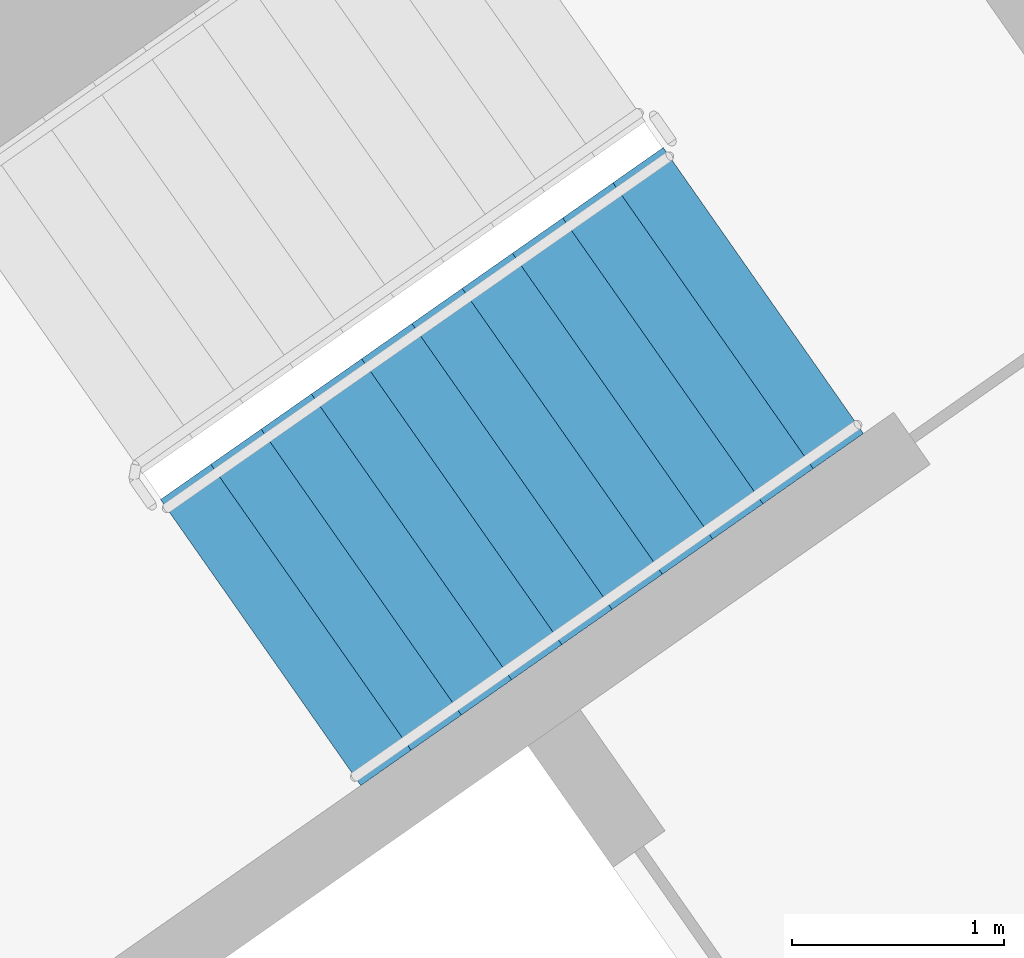
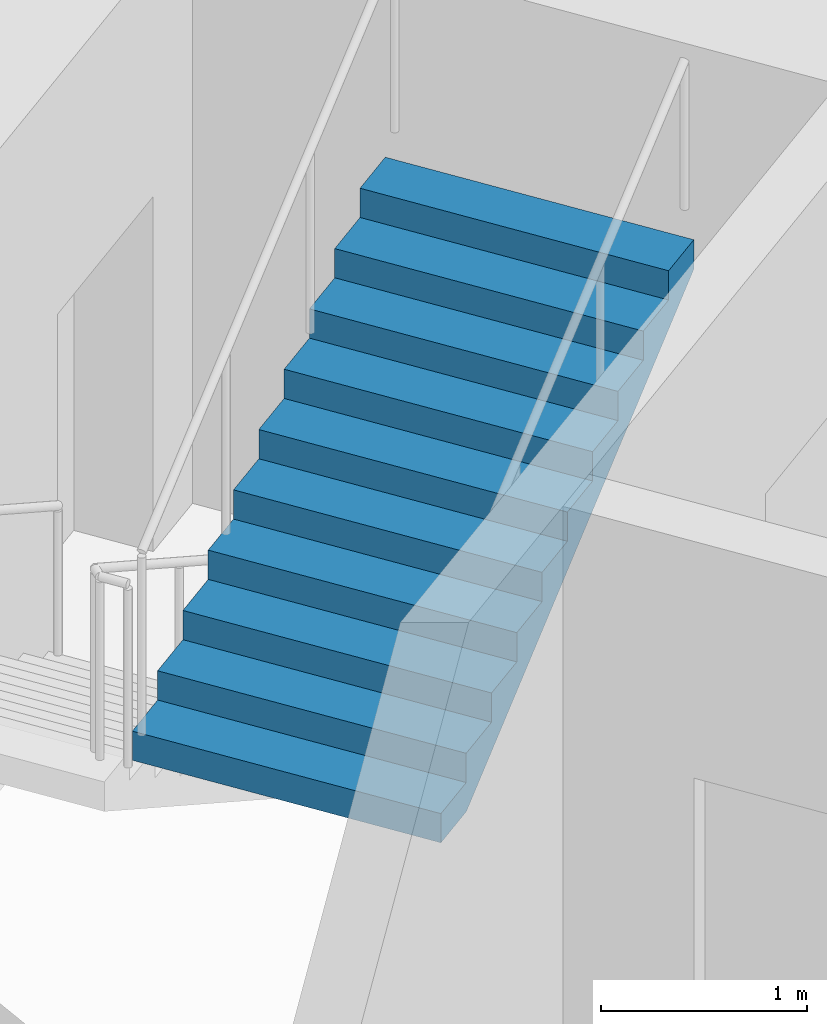
# One storey, part 16 of 29: 1 stair flight, 1 element without a shape of its own.
"""IFC4 building model written with IfcOpenShell, lengths in metres."""

from ifc_helpers import new_model, si_unit, direction, frame, origin, place, context, subcontext, project, spatial, faceted_brep, material, type_object, element, aggregate, save


model = new_model("IFC4")

# Units and contexts
model_context = context("Model", 3, precision=1e-05, world=origin(), true_north=direction((0.0, 1.0)))
body_context = subcontext(model_context, "Body", "Model", "MODEL_VIEW")
ifc_project = project(units=[si_unit("LENGTHUNIT", "METRE"), si_unit("AREAUNIT", "SQUARE_METRE"), si_unit("VOLUMEUNIT", "CUBIC_METRE"), si_unit("PLANEANGLEUNIT", "RADIAN"), si_unit("MASSUNIT", "GRAM", prefix="KILO")], contexts=[model_context])

# Site, building, storey
site_placement = place(None, origin())
site = spatial("IfcSite", under=ifc_project, at=site_placement, CompositionType="ELEMENT")
building_placement = place(site_placement, origin())
building = spatial("IfcBuilding", under=site, at=building_placement, Name="Qamariyya Broadcast Tower", CompositionType="ELEMENT")
storey_placement = place(building_placement, frame((0.0, 0.0, 132.89990234375)))
storey = spatial("IfcBuildingStorey", under=building, at=storey_placement, Name="L30", CompositionType="ELEMENT", Elevation=132.89990234375)

# Stair, stair flight
ifc_material = material(Name="Concrete C50/60", Category="concrete")
stair_type = type_object("IfcStairType", Name="Exit stair 22 risers of 173 mm", PredefinedType="HALF_TURN_STAIR", material=ifc_material)
stair_placement = place(storey_placement, origin())
stair = element("IfcStair", 1, at=stair_placement, inside=storey, type_object=stair_type, Name="L30 Stair E2", PredefinedType="HALF_TURN_STAIR")
stair_flight_type = type_object("IfcStairFlightType", Name="Exit stair flight 11 risers of 173 mm", PredefinedType="STRAIGHT", material=ifc_material)
stair_flight_placement = place(storey_placement, frame((39.215576171875, -50.822998046875, 1.900146484375), z_axis=(0.0, 0.0, 1.0), x_axis=(0.819152044289, 0.573576436351, 0.0)))
stair_flight = element("IfcStairFlight", 2, at=stair_flight_placement, type_object=stair_flight_type, Name="ST-E2 flight 2", NumberOfRisers=11, NumberOfTreads=10, PredefinedType="STRAIGHT", RiserHeight=0.172727273, TreadLength=0.29, context=body_context, shape_type="Brep", body=[
    faceted_brep([(0.0, 0.824951171875, 0.0), (0.0, 0.824951171875, 0.172607421875), (0.2900390625, 0.824951171875, 0.172607421875), (0.2900390625, 0.824951171875, 0.345458984375), (0.580078125, 0.824951171875, 0.345458984375), (0.580078125, 0.824951171875, 0.51806640625), (0.8701171875, 0.824951171875, 0.51806640625), (0.8701171875, 0.824951171875, 0.69091796875), (1.159912109375, 0.824951171875, 0.69091796875), (1.159912109375, 0.824951171875, 0.863525390625), (1.449951171875, 0.824951171875, 0.863525390625), (1.449951171875, 0.824951171875, 1.036376953125), (1.739990234375, 0.824951171875, 1.036376953125), (1.739990234375, 0.824951171875, 1.208984375), (2.030029296875, 0.824951171875, 1.208984375), (2.030029296875, 0.824951171875, 1.3818359375), (2.320068359375, 0.824951171875, 1.3818359375), (2.320068359375, 0.824951171875, 1.554443359375), (2.610107421875, 0.824951171875, 1.554443359375), (2.610107421875, 0.824951171875, 1.727294921875), (2.89990234375, 0.824951171875, 1.727294921875), (2.89990234375, 0.824951171875, 1.552734375), (0.29296875, 0.824951171875, 0.0), (0.29296875, -0.824951171875, 0.0), (2.89990234375, -0.824951171875, 1.552734375), (2.89990234375, -0.824951171875, 1.727294921875), (2.610107421875, -0.824951171875, 1.727294921875), (2.610107421875, -0.824951171875, 1.554443359375), (2.320068359375, -0.824951171875, 1.554443359375), (2.320068359375, -0.824951171875, 1.3818359375), (2.030029296875, -0.824951171875, 1.3818359375), (2.030029296875, -0.824951171875, 1.208984375), (1.739990234375, -0.824951171875, 1.208984375), (1.739990234375, -0.824951171875, 1.036376953125), (1.449951171875, -0.824951171875, 1.036376953125), (1.449951171875, -0.824951171875, 0.863525390625), (1.159912109375, -0.824951171875, 0.863525390625), (1.159912109375, -0.824951171875, 0.69091796875), (0.8701171875, -0.824951171875, 0.69091796875), (0.8701171875, -0.824951171875, 0.51806640625), (0.580078125, -0.824951171875, 0.51806640625), (0.580078125, -0.824951171875, 0.345458984375), (0.2900390625, -0.824951171875, 0.345458984375), (0.2900390625, -0.824951171875, 0.172607421875), (0.0, -0.824951171875, 0.172607421875), (0.0, -0.824951171875, 0.0), (0.0, 0.10009765625, 0.0), (0.0, 0.086669921875, 0.0), (0.0, 0.0732421875, 0.0), (0.0, 0.06005859375, 0.0), (0.0, 0.046630859375, 0.0), (0.0, 0.033447265625, 0.0), (0.0, 0.02001953125, 0.0), (0.0, 0.006591796875, 0.0), (0.0, -0.006591796875, 0.0), (0.0, -0.02001953125, 0.0), (0.0, -0.033447265625, 0.0), (0.0, -0.046630859375, 0.0), (0.0, -0.06005859375, 0.0), (0.0, -0.0732421875, 0.0), (0.0, -0.086669921875, 0.0), (0.0, -0.10009765625, 0.0), (0.0, -0.10009765625, 0.172607421875), (0.0, -0.086669921875, 0.172607421875), (0.0, -0.0732421875, 0.172607421875), (0.0, -0.06005859375, 0.172607421875), (0.0, -0.046630859375, 0.172607421875), (0.0, -0.033447265625, 0.172607421875), (0.0, -0.02001953125, 0.172607421875), (0.0, -0.006591796875, 0.172607421875), (0.0, 0.006591796875, 0.172607421875), (0.0, 0.02001953125, 0.172607421875), (0.0, 0.033447265625, 0.172607421875), (0.0, 0.046630859375, 0.172607421875), (0.0, 0.06005859375, 0.172607421875), (0.0, 0.0732421875, 0.172607421875), (0.0, 0.086669921875, 0.172607421875), (0.0, 0.10009765625, 0.172607421875), (0.2900390625, -0.10009765625, 0.172607421875), (0.2900390625, -0.086669921875, 0.172607421875), (0.2900390625, -0.0732421875, 0.172607421875), (0.2900390625, -0.06005859375, 0.172607421875), (0.2900390625, -0.046630859375, 0.172607421875), (0.2900390625, -0.033447265625, 0.172607421875), (0.2900390625, -0.02001953125, 0.172607421875), (0.2900390625, -0.006591796875, 0.172607421875), (0.2900390625, 0.006591796875, 0.172607421875), (0.2900390625, 0.02001953125, 0.172607421875), (0.2900390625, 0.033447265625, 0.172607421875), (0.2900390625, 0.046630859375, 0.172607421875), (0.2900390625, 0.06005859375, 0.172607421875), (0.2900390625, 0.0732421875, 0.172607421875), (0.2900390625, 0.086669921875, 0.172607421875), (0.2900390625, 0.10009765625, 0.172607421875), (0.2900390625, -0.10009765625, 0.345458984375), (0.2900390625, -0.086669921875, 0.345458984375), (0.2900390625, -0.0732421875, 0.345458984375), (0.2900390625, -0.06005859375, 0.345458984375), (0.2900390625, -0.046630859375, 0.345458984375), (0.2900390625, -0.033447265625, 0.345458984375), (0.2900390625, -0.02001953125, 0.345458984375), (0.2900390625, -0.006591796875, 0.345458984375), (0.2900390625, 0.006591796875, 0.345458984375), (0.2900390625, 0.02001953125, 0.345458984375), (0.2900390625, 0.033447265625, 0.345458984375), (0.2900390625, 0.046630859375, 0.345458984375), (0.2900390625, 0.06005859375, 0.345458984375), (0.2900390625, 0.0732421875, 0.345458984375), (0.2900390625, 0.086669921875, 0.345458984375), (0.2900390625, 0.10009765625, 0.345458984375), (0.580078125, -0.10009765625, 0.345458984375), (0.580078125, -0.086669921875, 0.345458984375), (0.580078125, -0.0732421875, 0.345458984375), (0.580078125, -0.06005859375, 0.345458984375), (0.580078125, -0.046630859375, 0.345458984375), (0.580078125, -0.033447265625, 0.345458984375), (0.580078125, -0.02001953125, 0.345458984375), (0.580078125, -0.006591796875, 0.345458984375), (0.580078125, 0.006591796875, 0.345458984375), (0.580078125, 0.02001953125, 0.345458984375), (0.580078125, 0.033447265625, 0.345458984375), (0.580078125, 0.046630859375, 0.345458984375), (0.580078125, 0.06005859375, 0.345458984375), (0.580078125, 0.0732421875, 0.345458984375), (0.580078125, 0.086669921875, 0.345458984375), (0.580078125, 0.10009765625, 0.345458984375), (0.580078125, -0.10009765625, 0.51806640625), (0.580078125, -0.086669921875, 0.51806640625), (0.580078125, -0.0732421875, 0.51806640625), (0.580078125, -0.06005859375, 0.51806640625), (0.580078125, -0.046630859375, 0.51806640625), (0.580078125, -0.033447265625, 0.51806640625), (0.580078125, -0.02001953125, 0.51806640625), (0.580078125, -0.006591796875, 0.51806640625), (0.580078125, 0.006591796875, 0.51806640625), (0.580078125, 0.02001953125, 0.51806640625), (0.580078125, 0.033447265625, 0.51806640625), (0.580078125, 0.046630859375, 0.51806640625), (0.580078125, 0.06005859375, 0.51806640625), (0.580078125, 0.0732421875, 0.51806640625), (0.580078125, 0.086669921875, 0.51806640625), (0.580078125, 0.10009765625, 0.51806640625), (0.8701171875, -0.10009765625, 0.51806640625), (0.8701171875, -0.086669921875, 0.51806640625), (0.8701171875, -0.0732421875, 0.51806640625), (0.8701171875, -0.06005859375, 0.51806640625), (0.8701171875, -0.046630859375, 0.51806640625), (0.8701171875, -0.033447265625, 0.51806640625), (0.8701171875, -0.02001953125, 0.51806640625), (0.8701171875, -0.006591796875, 0.51806640625), (0.8701171875, 0.006591796875, 0.51806640625), (0.8701171875, 0.02001953125, 0.51806640625), (0.8701171875, 0.033447265625, 0.51806640625), (0.8701171875, 0.046630859375, 0.51806640625), (0.8701171875, 0.06005859375, 0.51806640625), (0.8701171875, 0.0732421875, 0.51806640625), (0.8701171875, 0.086669921875, 0.51806640625), (0.8701171875, 0.10009765625, 0.51806640625), (0.8701171875, -0.10009765625, 0.69091796875), (0.8701171875, -0.086669921875, 0.69091796875), (0.8701171875, -0.0732421875, 0.69091796875), (0.8701171875, -0.06005859375, 0.69091796875), (0.8701171875, -0.046630859375, 0.69091796875), (0.8701171875, -0.033447265625, 0.69091796875), (0.8701171875, -0.02001953125, 0.69091796875), (0.8701171875, -0.006591796875, 0.69091796875), (0.8701171875, 0.006591796875, 0.69091796875), (0.8701171875, 0.02001953125, 0.69091796875), (0.8701171875, 0.033447265625, 0.69091796875), (0.8701171875, 0.046630859375, 0.69091796875), (0.8701171875, 0.06005859375, 0.69091796875), (0.8701171875, 0.0732421875, 0.69091796875), (0.8701171875, 0.086669921875, 0.69091796875), (0.8701171875, 0.10009765625, 0.69091796875), (1.159912109375, -0.10009765625, 0.69091796875), (1.159912109375, -0.086669921875, 0.69091796875), (1.159912109375, -0.0732421875, 0.69091796875), (1.159912109375, -0.06005859375, 0.69091796875), (1.159912109375, -0.046630859375, 0.69091796875), (1.159912109375, -0.033447265625, 0.69091796875), (1.159912109375, -0.02001953125, 0.69091796875), (1.159912109375, -0.006591796875, 0.69091796875), (1.159912109375, 0.006591796875, 0.69091796875), (1.159912109375, 0.02001953125, 0.69091796875), (1.159912109375, 0.033447265625, 0.69091796875), (1.159912109375, 0.046630859375, 0.69091796875), (1.159912109375, 0.06005859375, 0.69091796875), (1.159912109375, 0.0732421875, 0.69091796875), (1.159912109375, 0.086669921875, 0.69091796875), (1.159912109375, 0.10009765625, 0.69091796875), (1.159912109375, -0.10009765625, 0.863525390625), (1.159912109375, -0.086669921875, 0.863525390625), (1.159912109375, -0.0732421875, 0.863525390625), (1.159912109375, -0.06005859375, 0.863525390625), (1.159912109375, -0.046630859375, 0.863525390625), (1.159912109375, -0.033447265625, 0.863525390625), (1.159912109375, -0.02001953125, 0.863525390625), (1.159912109375, -0.006591796875, 0.863525390625), (1.159912109375, 0.006591796875, 0.863525390625), (1.159912109375, 0.02001953125, 0.863525390625), (1.159912109375, 0.033447265625, 0.863525390625), (1.159912109375, 0.046630859375, 0.863525390625), (1.159912109375, 0.06005859375, 0.863525390625), (1.159912109375, 0.0732421875, 0.863525390625), (1.159912109375, 0.086669921875, 0.863525390625), (1.159912109375, 0.10009765625, 0.863525390625), (1.449951171875, -0.10009765625, 0.863525390625), (1.449951171875, -0.086669921875, 0.863525390625), (1.449951171875, -0.0732421875, 0.863525390625), (1.449951171875, -0.06005859375, 0.863525390625), (1.449951171875, -0.046630859375, 0.863525390625), (1.449951171875, -0.033447265625, 0.863525390625), (1.449951171875, -0.02001953125, 0.863525390625), (1.449951171875, -0.006591796875, 0.863525390625), (1.449951171875, 0.006591796875, 0.863525390625), (1.449951171875, 0.02001953125, 0.863525390625), (1.449951171875, 0.033447265625, 0.863525390625), (1.449951171875, 0.046630859375, 0.863525390625), (1.449951171875, 0.06005859375, 0.863525390625), (1.449951171875, 0.0732421875, 0.863525390625), (1.449951171875, 0.086669921875, 0.863525390625), (1.449951171875, 0.10009765625, 0.863525390625), (1.449951171875, -0.10009765625, 1.036376953125), (1.449951171875, -0.086669921875, 1.036376953125), (1.449951171875, -0.0732421875, 1.036376953125), (1.449951171875, -0.06005859375, 1.036376953125), (1.449951171875, -0.046630859375, 1.036376953125), (1.449951171875, -0.033447265625, 1.036376953125), (1.449951171875, -0.02001953125, 1.036376953125), (1.449951171875, -0.006591796875, 1.036376953125), (1.449951171875, 0.006591796875, 1.036376953125), (1.449951171875, 0.02001953125, 1.036376953125), (1.449951171875, 0.033447265625, 1.036376953125), (1.449951171875, 0.046630859375, 1.036376953125), (1.449951171875, 0.06005859375, 1.036376953125), (1.449951171875, 0.0732421875, 1.036376953125), (1.449951171875, 0.086669921875, 1.036376953125), (1.449951171875, 0.10009765625, 1.036376953125), (1.739990234375, -0.10009765625, 1.036376953125), (1.739990234375, -0.086669921875, 1.036376953125), (1.739990234375, -0.0732421875, 1.036376953125), (1.739990234375, -0.06005859375, 1.036376953125), (1.739990234375, -0.046630859375, 1.036376953125), (1.739990234375, -0.033447265625, 1.036376953125), (1.739990234375, -0.02001953125, 1.036376953125), (1.739990234375, -0.006591796875, 1.036376953125), (1.739990234375, 0.006591796875, 1.036376953125), (1.739990234375, 0.02001953125, 1.036376953125), (1.739990234375, 0.033447265625, 1.036376953125), (1.739990234375, 0.046630859375, 1.036376953125), (1.739990234375, 0.06005859375, 1.036376953125), (1.739990234375, 0.0732421875, 1.036376953125), (1.739990234375, 0.086669921875, 1.036376953125), (1.739990234375, 0.10009765625, 1.036376953125), (1.739990234375, -0.10009765625, 1.208984375), (1.739990234375, -0.086669921875, 1.208984375), (1.739990234375, -0.0732421875, 1.208984375), (1.739990234375, -0.06005859375, 1.208984375), (1.739990234375, -0.046630859375, 1.208984375), (1.739990234375, -0.033447265625, 1.208984375), (1.739990234375, -0.02001953125, 1.208984375), (1.739990234375, -0.006591796875, 1.208984375), (1.739990234375, 0.006591796875, 1.208984375), (1.739990234375, 0.02001953125, 1.208984375), (1.739990234375, 0.033447265625, 1.208984375), (1.739990234375, 0.046630859375, 1.208984375), (1.739990234375, 0.06005859375, 1.208984375), (1.739990234375, 0.0732421875, 1.208984375), (1.739990234375, 0.086669921875, 1.208984375), (1.739990234375, 0.10009765625, 1.208984375), (2.030029296875, -0.10009765625, 1.208984375), (2.030029296875, -0.086669921875, 1.208984375), (2.030029296875, -0.0732421875, 1.208984375), (2.030029296875, -0.06005859375, 1.208984375), (2.030029296875, -0.046630859375, 1.208984375), (2.030029296875, -0.033447265625, 1.208984375), (2.030029296875, -0.02001953125, 1.208984375), (2.030029296875, -0.006591796875, 1.208984375), (2.030029296875, 0.006591796875, 1.208984375), (2.030029296875, 0.02001953125, 1.208984375), (2.030029296875, 0.033447265625, 1.208984375), (2.030029296875, 0.046630859375, 1.208984375), (2.030029296875, 0.06005859375, 1.208984375), (2.030029296875, 0.0732421875, 1.208984375), (2.030029296875, 0.086669921875, 1.208984375), (2.030029296875, 0.10009765625, 1.208984375), (2.030029296875, -0.10009765625, 1.3818359375), (2.030029296875, -0.086669921875, 1.3818359375), (2.030029296875, -0.0732421875, 1.3818359375), (2.030029296875, -0.06005859375, 1.3818359375), (2.030029296875, -0.046630859375, 1.3818359375), (2.030029296875, -0.033447265625, 1.3818359375), (2.030029296875, -0.02001953125, 1.3818359375), (2.030029296875, -0.006591796875, 1.3818359375), (2.030029296875, 0.006591796875, 1.3818359375), (2.030029296875, 0.02001953125, 1.3818359375), (2.030029296875, 0.033447265625, 1.3818359375), (2.030029296875, 0.046630859375, 1.3818359375), (2.030029296875, 0.06005859375, 1.3818359375), (2.030029296875, 0.0732421875, 1.3818359375), (2.030029296875, 0.086669921875, 1.3818359375), (2.030029296875, 0.10009765625, 1.3818359375), (2.320068359375, -0.10009765625, 1.3818359375), (2.320068359375, -0.086669921875, 1.3818359375), (2.320068359375, -0.0732421875, 1.3818359375), (2.320068359375, -0.06005859375, 1.3818359375), (2.320068359375, -0.046630859375, 1.3818359375), (2.320068359375, -0.033447265625, 1.3818359375), (2.320068359375, -0.02001953125, 1.3818359375), (2.320068359375, -0.006591796875, 1.3818359375), (2.320068359375, 0.006591796875, 1.3818359375), (2.320068359375, 0.02001953125, 1.3818359375), (2.320068359375, 0.033447265625, 1.3818359375), (2.320068359375, 0.046630859375, 1.3818359375), (2.320068359375, 0.06005859375, 1.3818359375), (2.320068359375, 0.0732421875, 1.3818359375), (2.320068359375, 0.086669921875, 1.3818359375), (2.320068359375, 0.10009765625, 1.3818359375), (2.320068359375, -0.10009765625, 1.554443359375), (2.320068359375, -0.086669921875, 1.554443359375), (2.320068359375, -0.0732421875, 1.554443359375), (2.320068359375, -0.06005859375, 1.554443359375), (2.320068359375, -0.046630859375, 1.554443359375), (2.320068359375, -0.033447265625, 1.554443359375), (2.320068359375, -0.02001953125, 1.554443359375), (2.320068359375, -0.006591796875, 1.554443359375), (2.320068359375, 0.006591796875, 1.554443359375), (2.320068359375, 0.02001953125, 1.554443359375), (2.320068359375, 0.033447265625, 1.554443359375), (2.320068359375, 0.046630859375, 1.554443359375), (2.320068359375, 0.06005859375, 1.554443359375), (2.320068359375, 0.0732421875, 1.554443359375), (2.320068359375, 0.086669921875, 1.554443359375), (2.320068359375, 0.10009765625, 1.554443359375), (2.610107421875, -0.10009765625, 1.554443359375), (2.610107421875, -0.086669921875, 1.554443359375), (2.610107421875, -0.0732421875, 1.554443359375), (2.610107421875, -0.06005859375, 1.554443359375), (2.610107421875, -0.046630859375, 1.554443359375), (2.610107421875, -0.033447265625, 1.554443359375), (2.610107421875, -0.02001953125, 1.554443359375), (2.610107421875, -0.006591796875, 1.554443359375), (2.610107421875, 0.006591796875, 1.554443359375), (2.610107421875, 0.02001953125, 1.554443359375), (2.610107421875, 0.033447265625, 1.554443359375), (2.610107421875, 0.046630859375, 1.554443359375), (2.610107421875, 0.06005859375, 1.554443359375), (2.610107421875, 0.0732421875, 1.554443359375), (2.610107421875, 0.086669921875, 1.554443359375), (2.610107421875, 0.10009765625, 1.554443359375), (2.610107421875, -0.10009765625, 1.727294921875), (2.610107421875, -0.086669921875, 1.727294921875), (2.610107421875, -0.0732421875, 1.727294921875), (2.610107421875, -0.06005859375, 1.727294921875), (2.610107421875, -0.046630859375, 1.727294921875), (2.610107421875, -0.033447265625, 1.727294921875), (2.610107421875, -0.02001953125, 1.727294921875), (2.610107421875, -0.006591796875, 1.727294921875), (2.610107421875, 0.006591796875, 1.727294921875), (2.610107421875, 0.02001953125, 1.727294921875), (2.610107421875, 0.033447265625, 1.727294921875), (2.610107421875, 0.046630859375, 1.727294921875), (2.610107421875, 0.06005859375, 1.727294921875), (2.610107421875, 0.0732421875, 1.727294921875), (2.610107421875, 0.086669921875, 1.727294921875), (2.610107421875, 0.10009765625, 1.727294921875), (2.89990234375, -0.10009765625, 1.727294921875), (2.89990234375, -0.086669921875, 1.727294921875), (2.89990234375, -0.0732421875, 1.727294921875), (2.89990234375, -0.06005859375, 1.727294921875), (2.89990234375, -0.046630859375, 1.727294921875), (2.89990234375, -0.033447265625, 1.727294921875), (2.89990234375, -0.02001953125, 1.727294921875), (2.89990234375, -0.006591796875, 1.727294921875), (2.89990234375, 0.006591796875, 1.727294921875), (2.89990234375, 0.02001953125, 1.727294921875), (2.89990234375, 0.033447265625, 1.727294921875), (2.89990234375, 0.046630859375, 1.727294921875), (2.89990234375, 0.06005859375, 1.727294921875), (2.89990234375, 0.0732421875, 1.727294921875), (2.89990234375, 0.086669921875, 1.727294921875), (2.89990234375, 0.10009765625, 1.727294921875), (2.89990234375, -0.10009765625, 1.552734375), (2.89990234375, -0.086669921875, 1.552734375), (2.89990234375, -0.0732421875, 1.552734375), (2.89990234375, -0.06005859375, 1.552734375), (2.89990234375, -0.046630859375, 1.552734375), (2.89990234375, -0.033447265625, 1.552734375), (2.89990234375, -0.02001953125, 1.552734375), (2.89990234375, -0.006591796875, 1.552734375), (2.89990234375, 0.006591796875, 1.552734375), (2.89990234375, 0.02001953125, 1.552734375), (2.89990234375, 0.033447265625, 1.552734375), (2.89990234375, 0.046630859375, 1.552734375), (2.89990234375, 0.06005859375, 1.552734375), (2.89990234375, 0.0732421875, 1.552734375), (2.89990234375, 0.086669921875, 1.552734375), (2.89990234375, 0.10009765625, 1.552734375), (0.29296875, -0.10009765625, 0.0), (0.29296875, -0.086669921875, 0.0), (0.29296875, -0.0732421875, 0.0), (0.29296875, -0.06005859375, 0.0), (0.29296875, -0.046630859375, 0.0), (0.29296875, -0.033447265625, 0.0), (0.29296875, -0.02001953125, 0.0), (0.29296875, -0.006591796875, 0.0), (0.29296875, 0.006591796875, 0.0), (0.29296875, 0.02001953125, 0.0), (0.29296875, 0.033447265625, 0.0), (0.29296875, 0.046630859375, 0.0), (0.29296875, 0.06005859375, 0.0), (0.29296875, 0.0732421875, 0.0), (0.29296875, 0.086669921875, 0.0), (0.29296875, 0.10009765625, 0.0)], [[[0, 1, 2, 3, 4, 5, 6, 7, 8, 9, 10, 11, 12, 13, 14, 15, 16, 17, 18, 19, 20, 21, 22]], [[23, 24, 25, 26, 27, 28, 29, 30, 31, 32, 33, 34, 35, 36, 37, 38, 39, 40, 41, 42, 43, 44, 45]], [[0, 46, 47, 48, 49, 50, 51, 52, 53, 54, 55, 56, 57, 58, 59, 60, 61, 45, 44, 62, 63, 64, 65, 66, 67, 68, 69, 70, 71, 72, 73, 74, 75, 76, 77, 1]], [[1, 77, 76, 75, 74, 73, 72, 71, 70, 69, 68, 67, 66, 65, 64, 63, 62, 44, 43, 78, 79, 80, 81, 82, 83, 84, 85, 86, 87, 88, 89, 90, 91, 92, 93, 2]], [[2, 93, 92, 91, 90, 89, 88, 87, 86, 85, 84, 83, 82, 81, 80, 79, 78, 43, 42, 94, 95, 96, 97, 98, 99, 100, 101, 102, 103, 104, 105, 106, 107, 108, 109, 3]], [[3, 109, 108, 107, 106, 105, 104, 103, 102, 101, 100, 99, 98, 97, 96, 95, 94, 42, 41, 110, 111, 112, 113, 114, 115, 116, 117, 118, 119, 120, 121, 122, 123, 124, 125, 4]], [[4, 125, 124, 123, 122, 121, 120, 119, 118, 117, 116, 115, 114, 113, 112, 111, 110, 41, 40, 126, 127, 128, 129, 130, 131, 132, 133, 134, 135, 136, 137, 138, 139, 140, 141, 5]], [[5, 141, 140, 139, 138, 137, 136, 135, 134, 133, 132, 131, 130, 129, 128, 127, 126, 40, 39, 142, 143, 144, 145, 146, 147, 148, 149, 150, 151, 152, 153, 154, 155, 156, 157, 6]], [[6, 157, 156, 155, 154, 153, 152, 151, 150, 149, 148, 147, 146, 145, 144, 143, 142, 39, 38, 158, 159, 160, 161, 162, 163, 164, 165, 166, 167, 168, 169, 170, 171, 172, 173, 7]], [[7, 173, 172, 171, 170, 169, 168, 167, 166, 165, 164, 163, 162, 161, 160, 159, 158, 38, 37, 174, 175, 176, 177, 178, 179, 180, 181, 182, 183, 184, 185, 186, 187, 188, 189, 8]], [[8, 189, 188, 187, 186, 185, 184, 183, 182, 181, 180, 179, 178, 177, 176, 175, 174, 37, 36, 190, 191, 192, 193, 194, 195, 196, 197, 198, 199, 200, 201, 202, 203, 204, 205, 9]], [[9, 205, 204, 203, 202, 201, 200, 199, 198, 197, 196, 195, 194, 193, 192, 191, 190, 36, 35, 206, 207, 208, 209, 210, 211, 212, 213, 214, 215, 216, 217, 218, 219, 220, 221, 10]], [[10, 221, 220, 219, 218, 217, 216, 215, 214, 213, 212, 211, 210, 209, 208, 207, 206, 35, 34, 222, 223, 224, 225, 226, 227, 228, 229, 230, 231, 232, 233, 234, 235, 236, 237, 11]], [[11, 237, 236, 235, 234, 233, 232, 231, 230, 229, 228, 227, 226, 225, 224, 223, 222, 34, 33, 238, 239, 240, 241, 242, 243, 244, 245, 246, 247, 248, 249, 250, 251, 252, 253, 12]], [[12, 253, 252, 251, 250, 249, 248, 247, 246, 245, 244, 243, 242, 241, 240, 239, 238, 33, 32, 254, 255, 256, 257, 258, 259, 260, 261, 262, 263, 264, 265, 266, 267, 268, 269, 13]], [[13, 269, 268, 267, 266, 265, 264, 263, 262, 261, 260, 259, 258, 257, 256, 255, 254, 32, 31, 270, 271, 272, 273, 274, 275, 276, 277, 278, 279, 280, 281, 282, 283, 284, 285, 14]], [[14, 285, 284, 283, 282, 281, 280, 279, 278, 277, 276, 275, 274, 273, 272, 271, 270, 31, 30, 286, 287, 288, 289, 290, 291, 292, 293, 294, 295, 296, 297, 298, 299, 300, 301, 15]], [[15, 301, 300, 299, 298, 297, 296, 295, 294, 293, 292, 291, 290, 289, 288, 287, 286, 30, 29, 302, 303, 304, 305, 306, 307, 308, 309, 310, 311, 312, 313, 314, 315, 316, 317, 16]], [[16, 317, 316, 315, 314, 313, 312, 311, 310, 309, 308, 307, 306, 305, 304, 303, 302, 29, 28, 318, 319, 320, 321, 322, 323, 324, 325, 326, 327, 328, 329, 330, 331, 332, 333, 17]], [[17, 333, 332, 331, 330, 329, 328, 327, 326, 325, 324, 323, 322, 321, 320, 319, 318, 28, 27, 334, 335, 336, 337, 338, 339, 340, 341, 342, 343, 344, 345, 346, 347, 348, 349, 18]], [[18, 349, 348, 347, 346, 345, 344, 343, 342, 341, 340, 339, 338, 337, 336, 335, 334, 27, 26, 350, 351, 352, 353, 354, 355, 356, 357, 358, 359, 360, 361, 362, 363, 364, 365, 19]], [[19, 365, 364, 363, 362, 361, 360, 359, 358, 357, 356, 355, 354, 353, 352, 351, 350, 26, 25, 366, 367, 368, 369, 370, 371, 372, 373, 374, 375, 376, 377, 378, 379, 380, 381, 20]], [[20, 381, 380, 379, 378, 377, 376, 375, 374, 373, 372, 371, 370, 369, 368, 367, 366, 25, 24, 382, 383, 384, 385, 386, 387, 388, 389, 390, 391, 392, 393, 394, 395, 396, 397, 21]], [[21, 397, 396, 395, 394, 393, 392, 391, 390, 389, 388, 387, 386, 385, 384, 383, 382, 24, 23, 398, 399, 400, 401, 402, 403, 404, 405, 406, 407, 408, 409, 410, 411, 412, 413, 22]], [[22, 413, 412, 411, 410, 409, 408, 407, 406, 405, 404, 403, 402, 401, 400, 399, 398, 23, 45, 61, 60, 59, 58, 57, 56, 55, 54, 53, 52, 51, 50, 49, 48, 47, 46, 0]]]),
])
aggregate(stair, [stair_flight])

save(model, "model.ifc")
